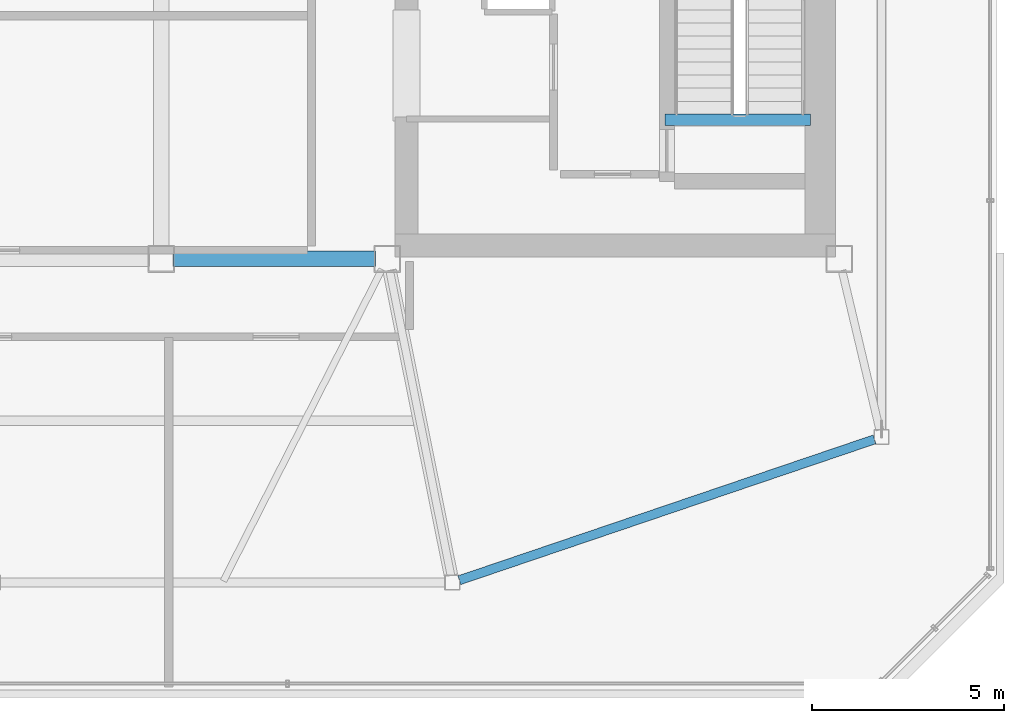
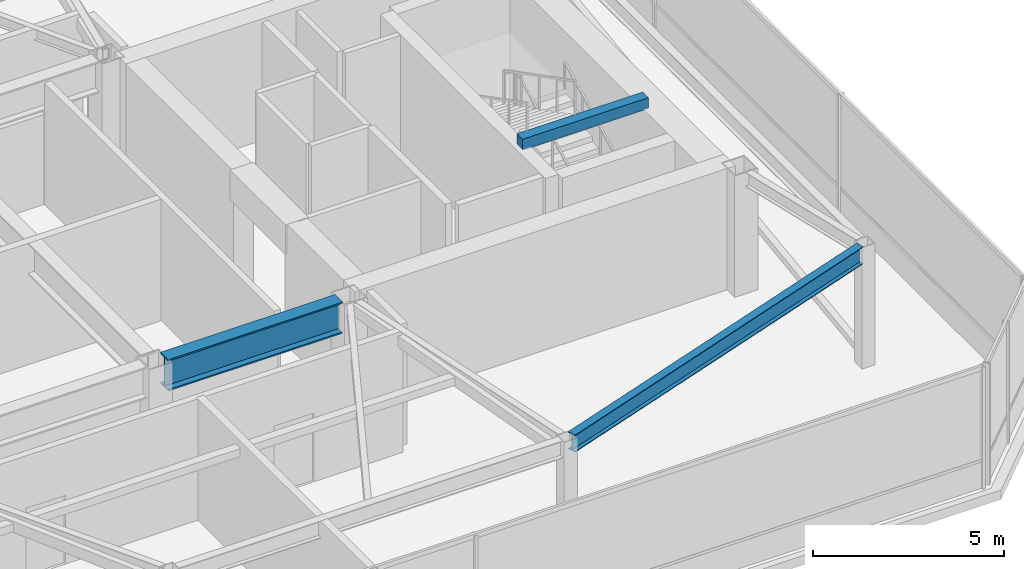
# One storey, part 10 of 22: 3 beams.
"""IFC4 building model written with IfcOpenShell, lengths in metres."""

from ifc_helpers import new_model, si_unit, direction, frame, origin, origin_2d, place, context, subcontext, project, spatial, rectangle, i_section, extrude, material, material_profile, profile_set, type_object, element, save


model = new_model("IFC4")

# Units and contexts
model_context = context("Model", 3, precision=1e-05, world=origin(), true_north=direction((0.0, 1.0)))
body_context = subcontext(model_context, "Body", "Model", "MODEL_VIEW")
ifc_project = project(units=[si_unit("LENGTHUNIT", "METRE"), si_unit("AREAUNIT", "SQUARE_METRE"), si_unit("VOLUMEUNIT", "CUBIC_METRE"), si_unit("PLANEANGLEUNIT", "RADIAN"), si_unit("MASSUNIT", "GRAM", prefix="KILO")], contexts=[model_context])

# Site, building, storey
site_placement = place(None, origin())
site = spatial("IfcSite", under=ifc_project, at=site_placement, CompositionType="ELEMENT")
building_placement = place(site_placement, origin())
building = spatial("IfcBuilding", under=site, at=building_placement, Name="Tavrogorsk Clinical Tower", CompositionType="ELEMENT")
storey_placement = place(building_placement, frame((0.0, 0.0, 352.800048828125)))
storey = spatial("IfcBuildingStorey", under=building, at=storey_placement, Name="L82", CompositionType="ELEMENT", Elevation=352.800048828125)

# Beams
ifc_material_1 = material(Name="Structural steel S390", Category="steel")
ifc_material_profile_1 = material_profile(ifc_material_1, i_section(OverallWidth=0.239990234375, OverallDepth=0.550048828125, WebThickness=0.013916015625, FlangeThickness=0.02197265625, at=origin_2d()), Name="B-550x240x14x22")
ifc_profile_set_1 = profile_set([ifc_material_profile_1], Name="Structural steel S390")
beam_type_1 = type_object("IfcBeamType", Name="SpandrelBeam_B550", PredefinedType="SPANDREL", material=ifc_profile_set_1)
beam_1_placement = place(storey_placement, frame((12.179931640625, -14.739013671875, 3.60498046875), z_axis=(0.946976266831, 0.321303517034, 0.0), x_axis=(-0.321303517034, 0.946976266831, 0.0)))
element("IfcBeam", 1, at=beam_1_placement, inside=storey, type_object=beam_type_1, Name="L82 Crown Spandrel Beam 03", PredefinedType="SPANDREL", context=body_context, shape_type="SweptSolid", body=[
    extrude(i_section(OverallWidth=0.239990234375, OverallDepth=0.550048828125, WebThickness=0.013916015625, FlangeThickness=0.02197265625, at=origin_2d()), origin(), (0.0, 0.0, 1.0), 11.447021484375),
])
ifc_material_2 = material(Name="Concrete B60", Category="concrete")
ifc_material_profile_2 = material_profile(ifc_material_2, rectangle(XDim=0.300048828125, YDim=0.35009765625, at=origin_2d()), Name="RC-SHB-300x350")
ifc_profile_set_2 = profile_set([ifc_material_profile_2], Name="Concrete B60")
beam_type_2 = type_object("IfcBeamType", Name="StairHeaderBeam_RC300x350", PredefinedType="BEAM", material=ifc_profile_set_2)
beam_2_placement = place(storey_placement, frame((17.550048828125, -2.719970703125, 4.02490234375), z_axis=(1.0, 0.0, 0.0), x_axis=(0.0, 1.0, 0.0)))
element("IfcBeam", 2, at=beam_2_placement, inside=storey, type_object=beam_type_2, Name="L83 ST-E Landing Header Beam", PredefinedType="BEAM", context=body_context, shape_type="SweptSolid", body=[
    extrude(rectangle(XDim=0.300048828125, YDim=0.35009765625, at=origin_2d()), origin(), (0.0, 0.0, 1.0), 3.800048828125),
])
ifc_material_3 = material(Name="Structural steel S440", Category="steel")
ifc_material_profile_3 = material_profile(ifc_material_3, i_section(OverallWidth=0.39990234375, OverallDepth=1.0, WebThickness=0.028076171875, FlangeThickness=0.044921875, at=origin_2d()), Name="DK-1000x400x28x45")
ifc_profile_set_3 = profile_set([ifc_material_profile_3], Name="Structural steel S440")
beam_type_3 = type_object("IfcBeamType", Name="TransferGirder_DK1000", PredefinedType="USERDEFINED", material=ifc_profile_set_3)
beam_3_placement = place(storey_placement, frame((4.7099609375, -6.35009765625, 3.3798828125), z_axis=(1.0, 0.0, 0.0), x_axis=(0.0, 1.0, 0.0)))
element("IfcBeam", 3, at=beam_3_placement, inside=storey, type_object=beam_type_3, Name="L82 Primary Spine Girder MG-05", ObjectType="GIRDER", PredefinedType="USERDEFINED", context=body_context, shape_type="SweptSolid", body=[
    extrude(i_section(OverallWidth=0.39990234375, OverallDepth=1.0, WebThickness=0.028076171875, FlangeThickness=0.044921875, at=origin_2d()), origin(), (0.0, 0.0, 1.0), 5.280029296875),
])

save(model, "model.ifc")
